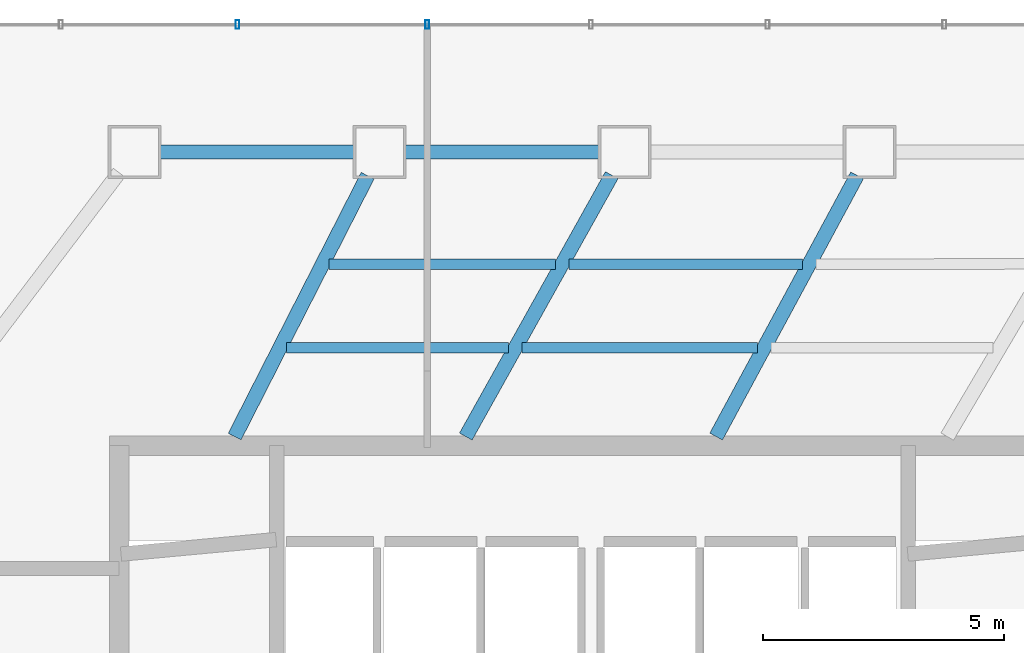
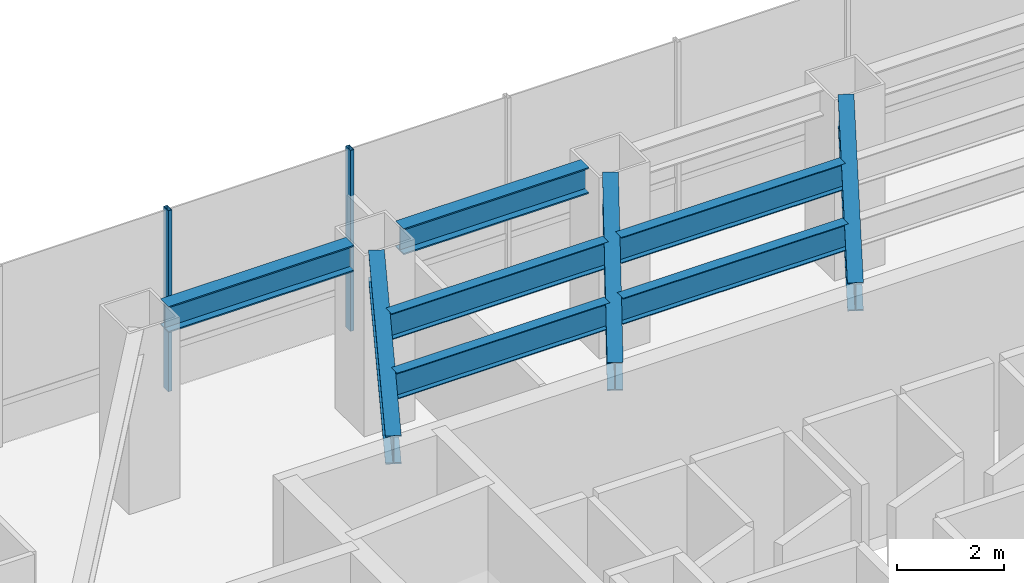
# One storey, part 22 of 43: 9 beams, 2 members, 1 element without a shape of its own.
"""IFC4 building model written with IfcOpenShell, lengths in metres."""

from ifc_helpers import new_model, si_unit, direction, frame, origin, origin_2d, place, context, subcontext, project, spatial, hollow_rectangle, i_section, extrude, material, layer, layer_set, material_profile, profile_set, type_object, element, aggregate, save


model = new_model("IFC4")

# Units and contexts
model_context = context("Model", 3, precision=1e-05, world=origin(), true_north=direction((0.0, 1.0)))
body_context = subcontext(model_context, "Body", "Model", "MODEL_VIEW")
ifc_project = project(units=[si_unit("LENGTHUNIT", "METRE"), si_unit("AREAUNIT", "SQUARE_METRE"), si_unit("VOLUMEUNIT", "CUBIC_METRE"), si_unit("PLANEANGLEUNIT", "RADIAN"), si_unit("MASSUNIT", "GRAM", prefix="KILO")], contexts=[model_context])

# Site, building, storey
site_placement = place(None, origin())
site = spatial("IfcSite", under=ifc_project, at=site_placement, CompositionType="ELEMENT")
building_placement = place(site_placement, origin())
building = spatial("IfcBuilding", under=site, at=building_placement, Name="Zarrinselat Tower", CompositionType="ELEMENT")
storey_placement = place(building_placement, frame((0.0, 0.0, 5.10009765625)))
storey = spatial("IfcBuildingStorey", under=building, at=storey_placement, Name="L01", CompositionType="ELEMENT", Elevation=5.10009765625)

# Beams
ifc_material_1 = material(Name="Steel S355J2", Category="steel")
ifc_material_profile_1 = material_profile(ifc_material_1, i_section(OverallWidth=0.300048828125, OverallDepth=0.60009765625, WebThickness=0.015380859375, FlangeThickness=0.030029296875, at=origin_2d()), Name="HEB 600")
ifc_profile_set_1 = profile_set([ifc_material_profile_1], Name="Steel S355J2")
beam_type_1 = type_object("IfcBeamType", Name="BM-HEB600", PredefinedType="BEAM", material=ifc_profile_set_1)
for number, where, z_axis, x_axis, name in (
    (1, (34.549560546875, 49.550048828125, 3.83984375), (1.0, 0.0, 0.0), (0.0, 1.0, 0.0), "L01 Perimeter Spandrel Girder SP03"),
    (2, (29.4609375, 49.550048828125, 3.83984375), (1.0, 0.0, 0.0), (0.0, 1.0, 0.0), "L01 Perimeter Spandrel Girder SP04"),
):
    element("IfcBeam", number, at=place(storey_placement, frame(where, z_axis=z_axis, x_axis=x_axis)), inside=storey, type_object=beam_type_1, Name=name, PredefinedType="BEAM", context=body_context, shape_type="SweptSolid", body=[
        extrude(i_section(OverallWidth=0.300048828125, OverallDepth=0.60009765625, WebThickness=0.015380859375, FlangeThickness=0.030029296875, at=origin_2d()), origin(), (0.0, 0.0, 1.0), 4.012451171875),
    ])
ifc_material_2 = material(Name="Steel S355J2", Category="steel")
ifc_material_profile_2 = material_profile(ifc_material_2, i_section(OverallWidth=0.300048828125, OverallDepth=0.64990234375, WebThickness=0.01611328125, FlangeThickness=0.031005859375, at=origin_2d()), Name="HEB 650")
ifc_profile_set_2 = profile_set([ifc_material_profile_2], Name="Steel S355J2")
beam_type_2 = type_object("IfcBeamType", Name="BM-HEB650", PredefinedType="BEAM", material=ifc_profile_set_2)
beam_1_placement = place(storey_placement, frame((41.0, 43.639892578125, 3.81494140625), z_axis=(0.474820116737, 0.880082869247, 0.0), x_axis=(-0.880082869247, 0.474820116737, 0.0)))
element("IfcBeam", 3, at=beam_1_placement, inside=storey, type_object=beam_type_2, Name="L01 Radial Primary Girder RG02", PredefinedType="BEAM", context=body_context, shape_type="SweptSolid", body=[
    extrude(i_section(OverallWidth=0.300048828125, OverallDepth=0.64990234375, WebThickness=0.01611328125, FlangeThickness=0.031005859375, at=origin_2d()), origin(), (0.0, 0.0, 1.0), 6.163330078125),
])
beam_2_placement = place(storey_placement, frame((35.800048828125, 43.639892578125, 3.81494140625), z_axis=(0.487495671471, 0.873125403535, 0.0), x_axis=(-0.873125403535, 0.487495671471, 0.0)))
element("IfcBeam", 4, at=beam_2_placement, inside=storey, type_object=beam_type_2, Name="L01 Radial Primary Girder RG03", PredefinedType="BEAM", context=body_context, shape_type="SweptSolid", body=[
    extrude(i_section(OverallWidth=0.300048828125, OverallDepth=0.64990234375, WebThickness=0.01611328125, FlangeThickness=0.031005859375, at=origin_2d()), origin(), (0.0, 0.0, 1.0), 6.217041015625),
])
beam_3_placement = place(storey_placement, frame((31.0, 43.639892578125, 3.81494140625), z_axis=(0.454025613445, 0.89098863199, 0.0), x_axis=(-0.89098863199, 0.454025613445, 0.0)))
element("IfcBeam", 5, at=beam_3_placement, inside=storey, type_object=beam_type_2, Name="L01 Radial Primary Girder RG04", PredefinedType="BEAM", context=body_context, shape_type="SweptSolid", body=[
    extrude(i_section(OverallWidth=0.300048828125, OverallDepth=0.64990234375, WebThickness=0.01611328125, FlangeThickness=0.031005859375, at=origin_2d()), origin(), (0.0, 0.0, 1.0), 6.0810546875),
])
ifc_material_3 = material(Name="Steel S355J2", Category="steel")
ifc_material_profile_3 = material_profile(ifc_material_3, i_section(OverallWidth=0.219970703125, OverallDepth=0.60009765625, WebThickness=0.011962890625, FlangeThickness=0.01904296875, at=origin_2d()), Name="IPE 600")
ifc_profile_set_3 = profile_set([ifc_material_profile_3], Name="Steel S355J2")
beam_type_3 = type_object("IfcBeamType", Name="BM-IPE600", PredefinedType="JOIST", material=ifc_profile_set_3)
beam_4_placement = place(storey_placement, frame((37.9404296875, 47.222412109375, 3.83984375), z_axis=(0.999999873359, -0.000503271199, 0.0), x_axis=(0.000503271199, 0.999999873359, 0.0)))
element("IfcBeam", 6, at=beam_4_placement, inside=storey, type_object=beam_type_3, Name="L01 Composite Floor Joist 8-1", PredefinedType="JOIST", context=body_context, shape_type="SweptSolid", body=[
    extrude(i_section(OverallWidth=0.219970703125, OverallDepth=0.60009765625, WebThickness=0.011962890625, FlangeThickness=0.01904296875, at=origin_2d()), origin(), (0.0, 0.0, 1.0), 4.85107421875),
])
beam_5_placement = place(storey_placement, frame((36.970458984375, 45.485595703125, 3.83984375), z_axis=(0.999999968772, -0.000249912523, 0.0), x_axis=(0.000249912523, 0.999999968772, 0.0)))
element("IfcBeam", 7, at=beam_5_placement, inside=storey, type_object=beam_type_3, Name="L01 Composite Floor Joist 8-2", PredefinedType="JOIST", context=body_context, shape_type="SweptSolid", body=[
    extrude(i_section(OverallWidth=0.219970703125, OverallDepth=0.60009765625, WebThickness=0.011962890625, FlangeThickness=0.01904296875, at=origin_2d()), origin(), (0.0, 0.0, 1.0), 4.884521484375),
])
beam_6_placement = place(storey_placement, frame((32.962158203125, 47.21630859375, 3.83984375), z_axis=(0.999999156163, 0.001299105119, 0.0), x_axis=(-0.001299105119, 0.999999156163, 0.0)))
element("IfcBeam", 8, at=beam_6_placement, inside=storey, type_object=beam_type_3, Name="L01 Composite Floor Joist 9-1", PredefinedType="JOIST", context=body_context, shape_type="SweptSolid", body=[
    extrude(i_section(OverallWidth=0.219970703125, OverallDepth=0.60009765625, WebThickness=0.011962890625, FlangeThickness=0.01904296875, at=origin_2d()), origin(), (0.0, 0.0, 1.0), 4.6982421875),
])
beam_7_placement = place(storey_placement, frame((32.07861328125, 45.482421875, 3.83984375), z_axis=(0.999999798224, 0.000635256621, 0.0), x_axis=(-0.000635256621, 0.999999798224, 0.0)))
element("IfcBeam", 9, at=beam_7_placement, inside=storey, type_object=beam_type_3, Name="L01 Composite Floor Joist 9-2", PredefinedType="JOIST", context=body_context, shape_type="SweptSolid", body=[
    extrude(i_section(OverallWidth=0.219970703125, OverallDepth=0.60009765625, WebThickness=0.011962890625, FlangeThickness=0.01904296875, at=origin_2d()), origin(), (0.0, 0.0, 1.0), 4.61181640625),
])

# Curtain wall, members
ifc_material_4 = material(Name="Extruded Aluminium Alloy EN AW-6063 T6", Category="aluminium")
ifc_layer = layer(ifc_material_4, 0.2099609375)
ifc_layer_set = layer_set([ifc_layer], Name="Extruded Aluminium Alloy EN AW-6063 T6")
curtain_wall_type = type_object("IfcCurtainWallType", Name="CWS-POD", PredefinedType="NOTDEFINED", material=ifc_layer_set)
curtain_wall_placement = place(storey_placement, origin())
curtain_wall = element("IfcCurtainWall", 10, at=curtain_wall_placement, inside=storey, type_object=curtain_wall_type, Name="L01 Unitised Curtain Wall CW-L01-F5", PredefinedType="NOTDEFINED")
ifc_material_5 = material(Name="Extruded Aluminium Alloy EN AW-6063 T6", Category="aluminium")
ifc_material_profile_4 = material_profile(ifc_material_5, hollow_rectangle(XDim=0.080078125, YDim=0.179931640625, WallThickness=0.0048828125, at=origin_2d()), Name="RHS 180x80x5")
ifc_profile_set_4 = profile_set([ifc_material_profile_4], Name="Extruded Aluminium Alloy EN AW-6063 T6")
member_type = type_object("IfcMemberType", Name="MEM-CW-MUL", PredefinedType="MULLION", material=ifc_profile_set_4)
member_1_placement = place(storey_placement, frame((35.0, 52.199951171875, 0.0), z_axis=(0.0, 0.0, 1.0), x_axis=(-1.0, 0.0, 0.0)))
member_1 = element("IfcMember", 11, at=member_1_placement, type_object=member_type, Name="CW-L01-F5 Mullion 11", PredefinedType="MULLION", context=body_context, shape_type="SweptSolid", body=[
    extrude(hollow_rectangle(XDim=0.080078125, YDim=0.179931640625, WallThickness=0.0048828125, at=origin_2d()), origin(), (0.0, 0.0, 1.0), 4.139892578125),
])
member_2_placement = place(storey_placement, frame((31.06005859375, 52.199951171875, 0.0), z_axis=(0.0, 0.0, 1.0), x_axis=(-1.0, 0.0, 0.0)))
member_2 = element("IfcMember", 12, at=member_2_placement, type_object=member_type, Name="CW-L01-F5 Mullion 12", PredefinedType="MULLION", context=body_context, shape_type="SweptSolid", body=[
    extrude(hollow_rectangle(XDim=0.080078125, YDim=0.179931640625, WallThickness=0.0048828125, at=origin_2d()), origin(), (0.0, 0.0, 1.0), 4.139892578125),
])
aggregate(curtain_wall, [member_1, member_2])

save(model, "model.ifc")
